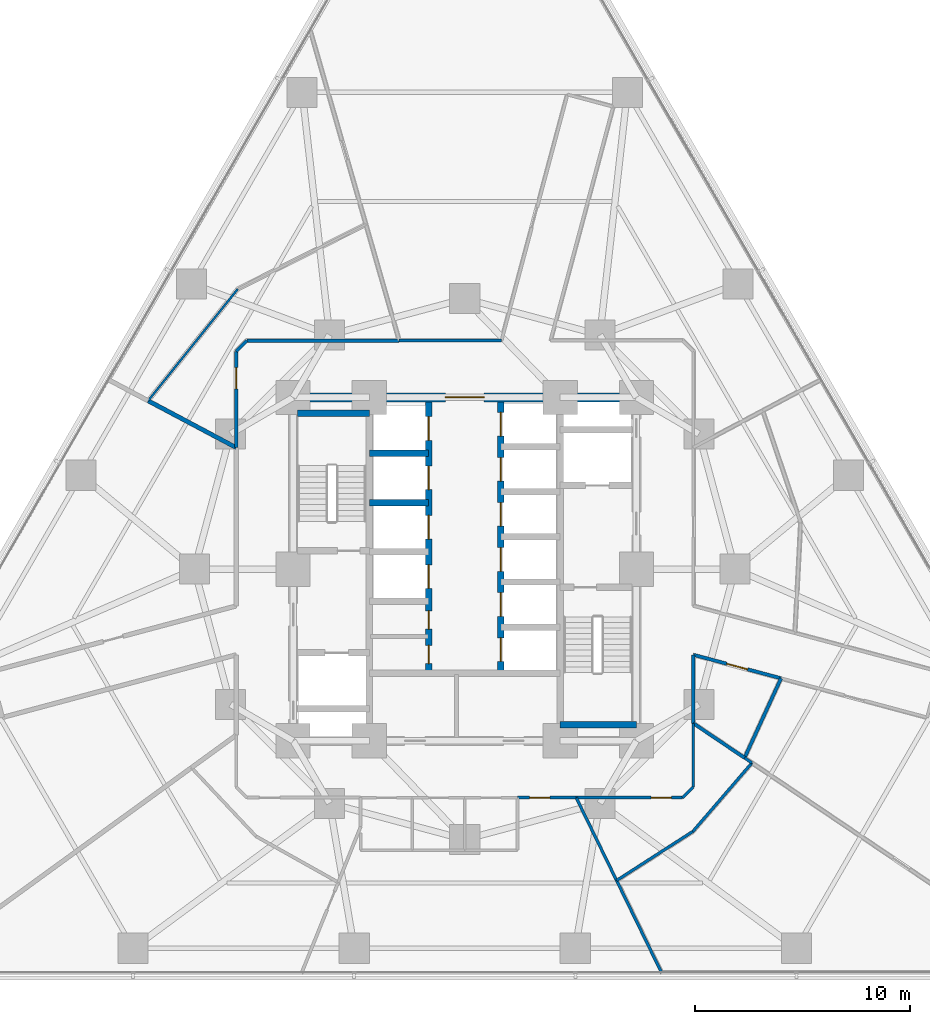
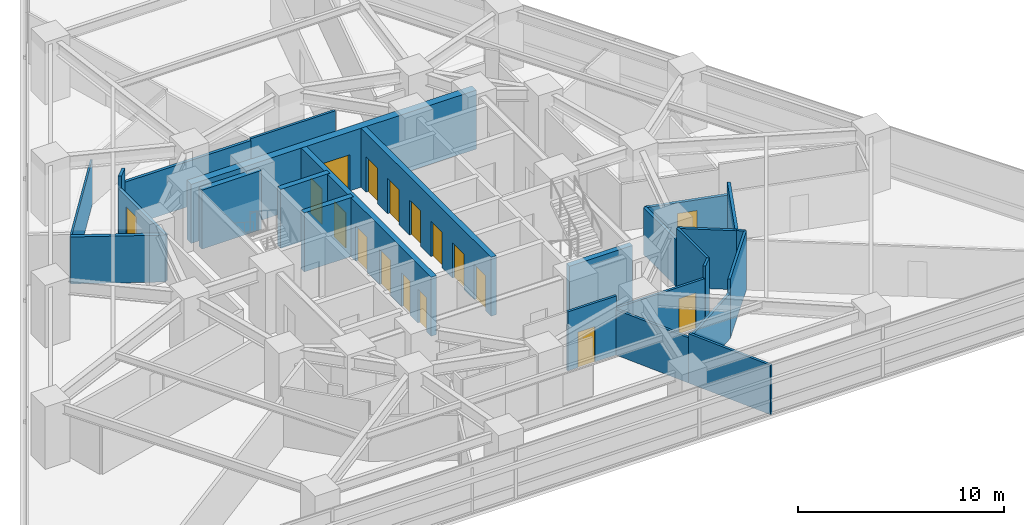
# One storey, part 9 of 16: 26 walls, 17 doors, 17 openings.
"""IFC4 building model written with IfcOpenShell, lengths in metres."""

from ifc_helpers import new_model, si_unit, direction, frame, frame_2d, origin, place, context, subcontext, project, spatial, rectangle, extrude, material, layer, layer_set, type_object, element, fill, save


model = new_model("IFC4")

# Units and contexts
model_context = context("Model", 3, precision=1e-05, world=origin(), true_north=direction((0.0, 1.0)))
body_context = subcontext(model_context, "Body", "Model", "MODEL_VIEW")
ifc_project = project(units=[si_unit("LENGTHUNIT", "METRE"), si_unit("AREAUNIT", "SQUARE_METRE"), si_unit("VOLUMEUNIT", "CUBIC_METRE"), si_unit("PLANEANGLEUNIT", "RADIAN"), si_unit("MASSUNIT", "GRAM", prefix="KILO")], contexts=[model_context])

# Site, building, storey
site_placement = place(None, origin())
site = spatial("IfcSite", under=ifc_project, at=site_placement, CompositionType="ELEMENT")
building_placement = place(site_placement, origin())
building = spatial("IfcBuilding", under=site, at=building_placement, Name="Terralouvre Media Tower", CompositionType="ELEMENT")
storey_placement = place(building_placement, frame((0.0, 0.0, 37.10009765625)))
storey = spatial("IfcBuildingStorey", under=building, at=storey_placement, Name="L08", CompositionType="ELEMENT", Elevation=37.10009765625)

# Walls
ifc_material_1 = material(Name="Concrete C50/60", Category="concrete")
ifc_layer_1 = layer(ifc_material_1, 0.300048828125, Name="Core Internal Shaft Wall CW-300")
ifc_layer_set_1 = layer_set([ifc_layer_1], Name="Concrete C50/60")
wall_type_1 = type_object("IfcWallType", Name="Core Internal Shaft Wall CW-300", PredefinedType="SHEAR", material=ifc_layer_set_1)
wall_1_placement = place(storey_placement, frame((-7.7900390625, 7.260009765625, 0.0), z_axis=(0.0, 0.0, 1.0), x_axis=(1.0, 0.0, 0.0)))
element("IfcWall", 1, at=wall_1_placement, inside=storey, type_object=wall_type_1, Name="L08 Core Shaft Wall ST1F", PredefinedType="SHEAR", context=body_context, shape_type="SweptSolid", body=[
    extrude(rectangle(XDim=3.340087890625, YDim=0.300048828125, at=frame_2d((1.669921875, 0.0))), origin(), (0.0, 0.0, 1.0), 3.5),
])
wall_2_placement = place(storey_placement, frame((4.449951171875, -7.260009765625, 0.0), z_axis=(0.0, 0.0, 1.0), x_axis=(1.0, 0.0, 0.0)))
element("IfcWall", 2, at=wall_2_placement, inside=storey, type_object=wall_type_1, Name="L08 Core Shaft Wall ST2F", PredefinedType="SHEAR", context=body_context, shape_type="SweptSolid", body=[
    extrude(rectangle(XDim=3.550048828125, YDim=0.300048828125, at=frame_2d((1.77490234375, 0.0))), origin(), (0.0, 0.0, 1.0), 3.5),
])

# Wall, openings, doors
wall_3_placement = place(storey_placement, frame((-1.679931640625, -4.85009765625, 0.0), z_axis=(0.0, 0.0, 1.0), x_axis=(0.0, 1.0, 0.0)))
wall_3 = element("IfcWall", 3, at=wall_3_placement, inside=storey, type_object=wall_type_1, Name="L08 Core Shaft Wall LBW", PredefinedType="SHEAR", context=body_context, shape_type="SweptSolid", body=[
    extrude(rectangle(XDim=12.64013671875, YDim=0.300048828125, at=frame_2d((6.320068359375, 0.0))), origin(), (0.0, 0.0, 1.0), 3.5),
])
opening_1_placement = place(wall_3_placement, frame((3.949951171875, 0.0, 0.0)))
opening_1 = element("IfcOpeningElement", 4, at=opening_1_placement, cuts=wall_3, Name="Opening LD-PL", PredefinedType="OPENING", context=body_context, shape_type="SweptSolid", body=[
    extrude(rectangle(XDim=1.10009765625, YDim=2.10009765625, at=frame_2d((0.550048828125, 1.050048828125))), frame((0.0, 0.159912109375, 0.0), z_axis=(0.0, -1.0, 0.0), x_axis=(1.0, 0.0, 0.0)), (0.0, 0.0, 1.0), 0.320068359375),
])
opening_2_placement = place(wall_3_placement, frame((6.25, 0.0, 0.0)))
opening_2 = element("IfcOpeningElement", 5, at=opening_2_placement, cuts=wall_3, Name="Opening LD-PL", PredefinedType="OPENING", context=body_context, shape_type="SweptSolid", body=[
    extrude(rectangle(XDim=1.10009765625, YDim=2.10009765625, at=frame_2d((0.550048828125, 1.050048828125))), frame((0.0, 0.159912109375, 0.0), z_axis=(0.0, -1.0, 0.0), x_axis=(1.0, 0.0, 0.0)), (0.0, 0.0, 1.0), 0.320068359375),
])
opening_3_placement = place(wall_3_placement, frame((8.550048828125, 0.0, 0.0)))
opening_3 = element("IfcOpeningElement", 6, at=opening_3_placement, cuts=wall_3, Name="Opening LD-PL", PredefinedType="OPENING", context=body_context, shape_type="SweptSolid", body=[
    extrude(rectangle(XDim=1.10009765625, YDim=2.10009765625, at=frame_2d((0.550048828125, 1.050048828125))), frame((0.0, 0.159912109375, 0.0), z_axis=(0.0, -1.0, 0.0), x_axis=(1.0, 0.0, 0.0)), (0.0, 0.0, 1.0), 0.320068359375),
])
opening_4_placement = place(wall_3_placement, frame((10.85009765625, 0.0, 0.0)))
opening_4 = element("IfcOpeningElement", 7, at=opening_4_placement, cuts=wall_3, Name="Opening LD-PL", PredefinedType="OPENING", context=body_context, shape_type="SweptSolid", body=[
    extrude(rectangle(XDim=1.10009765625, YDim=2.10009765625, at=frame_2d((0.550048828125, 1.050048828125))), frame((0.0, 0.159912109375, 0.0), z_axis=(0.0, -1.0, 0.0), x_axis=(1.0, 0.0, 0.0)), (0.0, 0.0, 1.0), 0.320068359375),
])
opening_5_placement = place(wall_3_placement, frame((0.449951171875, 0.0, 0.0)))
opening_5 = element("IfcOpeningElement", 8, at=opening_5_placement, cuts=wall_3, Name="Opening TD-R1", PredefinedType="OPENING", context=body_context, shape_type="SweptSolid", body=[
    extrude(rectangle(XDim=0.85009765625, YDim=2.02001953125, at=frame_2d((0.425048828125, 1.010009765625))), frame((0.0, 0.159912109375, 0.0), z_axis=(0.0, -1.0, 0.0), x_axis=(1.0, 0.0, 0.0)), (0.0, 0.0, 1.0), 0.320068359375),
])
opening_6_placement = place(wall_3_placement, frame((2.050048828125, 0.0, 0.0)))
opening_6 = element("IfcOpeningElement", 9, at=opening_6_placement, cuts=wall_3, Name="Opening TD-R1", PredefinedType="OPENING", context=body_context, shape_type="SweptSolid", body=[
    extrude(rectangle(XDim=0.85009765625, YDim=2.02001953125, at=frame_2d((0.425048828125, 1.010009765625))), frame((0.0, 0.159912109375, 0.0), z_axis=(0.0, -1.0, 0.0), x_axis=(1.0, 0.0, 0.0)), (0.0, 0.0, 1.0), 0.320068359375),
])
ifc_material_2 = material(Name="Stainless steel 316 handrail and balustrade", Category="steel")
door_type_1 = type_object("IfcDoorType", Name="Passenger Lift Sliding Landing Door LD-PL", OperationType="SLIDING_TO_LEFT", PredefinedType="DOOR", material=ifc_material_2)
door_1_placement = place(opening_1_placement, origin())
door_1 = element("IfcDoor", 10, at=door_1_placement, inside=storey, type_object=door_type_1, Name="L08 Low-Rise Lift PL-L1 Landing Door", OperationType="SLIDING_TO_LEFT", OverallHeight=2.10009765625, OverallWidth=1.10009765625, PredefinedType="DOOR", context=body_context, shape_type="SweptSolid", body=[
    extrude(rectangle(XDim=1.10009765625, YDim=2.10009765625, at=frame_2d((0.550048828125, 1.050048828125))), frame((0.0, 0.02490234375, 0.0), z_axis=(0.0, -1.0, 0.0), x_axis=(1.0, 0.0, 0.0)), (0.0, 0.0, 1.0), 0.050048828125),
])
fill(opening_1, door_1)
door_2_placement = place(opening_2_placement, origin())
door_2 = element("IfcDoor", 11, at=door_2_placement, inside=storey, type_object=door_type_1, Name="L08 Low-Rise Lift PL-L2 Landing Door", OperationType="SLIDING_TO_LEFT", OverallHeight=2.10009765625, OverallWidth=1.10009765625, PredefinedType="DOOR", context=body_context, shape_type="SweptSolid", body=[
    extrude(rectangle(XDim=1.10009765625, YDim=2.10009765625, at=frame_2d((0.550048828125, 1.050048828125))), frame((0.0, 0.02490234375, 0.0), z_axis=(0.0, -1.0, 0.0), x_axis=(1.0, 0.0, 0.0)), (0.0, 0.0, 1.0), 0.050048828125),
])
fill(opening_2, door_2)
door_3_placement = place(opening_3_placement, origin())
door_3 = element("IfcDoor", 12, at=door_3_placement, inside=storey, type_object=door_type_1, Name="L08 Low-Rise Lift PL-L3 Landing Door", OperationType="SLIDING_TO_LEFT", OverallHeight=2.10009765625, OverallWidth=1.10009765625, PredefinedType="DOOR", context=body_context, shape_type="SweptSolid", body=[
    extrude(rectangle(XDim=1.10009765625, YDim=2.10009765625, at=frame_2d((0.550048828125, 1.050048828125))), frame((0.0, 0.02490234375, 0.0), z_axis=(0.0, -1.0, 0.0), x_axis=(1.0, 0.0, 0.0)), (0.0, 0.0, 1.0), 0.050048828125),
])
fill(opening_3, door_3)
door_4_placement = place(opening_4_placement, origin())
door_4 = element("IfcDoor", 13, at=door_4_placement, inside=storey, type_object=door_type_1, Name="L08 Low-Rise Lift PL-L4 Landing Door", OperationType="SLIDING_TO_LEFT", OverallHeight=2.10009765625, OverallWidth=1.10009765625, PredefinedType="DOOR", context=body_context, shape_type="SweptSolid", body=[
    extrude(rectangle(XDim=1.10009765625, YDim=2.10009765625, at=frame_2d((0.550048828125, 1.050048828125))), frame((0.0, 0.02490234375, 0.0), z_axis=(0.0, -1.0, 0.0), x_axis=(1.0, 0.0, 0.0)), (0.0, 0.0, 1.0), 0.050048828125),
])
fill(opening_4, door_4)
ifc_material_3 = material(Name="Galvanised steel fire-resisting leaf", Category="steel")
door_type_2 = type_object("IfcDoorType", Name="Riser Inspection Access Trapdoor TD-R1", OperationType="NOTDEFINED", PredefinedType="TRAPDOOR", material=ifc_material_3)
door_5_placement = place(opening_5_placement, origin())
door_5 = element("IfcDoor", 14, at=door_5_placement, inside=storey, type_object=door_type_2, Name="L08 Core Cleaners Closet Door", OperationType="SINGLE_SWING_LEFT", OverallHeight=2.02001953125, OverallWidth=0.85009765625, PredefinedType="TRAPDOOR", context=body_context, shape_type="SweptSolid", body=[
    extrude(rectangle(XDim=0.85009765625, YDim=2.02001953125, at=frame_2d((0.425048828125, 1.010009765625))), frame((0.0, 0.02490234375, 0.0), z_axis=(0.0, -1.0, 0.0), x_axis=(1.0, 0.0, 0.0)), (0.0, 0.0, 1.0), 0.050048828125),
])
fill(opening_5, door_5)
door_6_placement = place(opening_6_placement, origin())
door_6 = element("IfcDoor", 15, at=door_6_placement, inside=storey, type_object=door_type_2, Name="L08 Core Metering Closet Door", OperationType="SINGLE_SWING_RIGHT", OverallHeight=2.02001953125, OverallWidth=0.85009765625, PredefinedType="TRAPDOOR", context=body_context, shape_type="SweptSolid", body=[
    extrude(rectangle(XDim=0.85009765625, YDim=2.02001953125, at=frame_2d((0.425048828125, 1.010009765625))), frame((0.0, 0.02490234375, 0.0), z_axis=(0.0, -1.0, 0.0), x_axis=(1.0, 0.0, 0.0)), (0.0, 0.0, 1.0), 0.050048828125),
])
fill(opening_6, door_6)

wall_4_placement = place(storey_placement, frame((1.679931640625, -4.85009765625, 0.0), z_axis=(0.0, 0.0, 1.0), x_axis=(0.0, 1.0, 0.0)))
wall_4 = element("IfcWall", 16, at=wall_4_placement, inside=storey, type_object=wall_type_1, Name="L08 Core Shaft Wall LBE", PredefinedType="SHEAR", context=body_context, shape_type="SweptSolid", body=[
    extrude(rectangle(XDim=12.64013671875, YDim=0.300048828125, at=frame_2d((6.320068359375, 0.0))), origin(), (0.0, 0.0, 1.0), 3.5),
])
opening_7_placement = place(wall_4_placement, frame((0.550048828125, 0.0, 0.0)))
opening_7 = element("IfcOpeningElement", 17, at=opening_7_placement, cuts=wall_4, Name="Opening LD-PL", PredefinedType="OPENING", context=body_context, shape_type="SweptSolid", body=[
    extrude(rectangle(XDim=1.10009765625, YDim=2.10009765625, at=frame_2d((0.550048828125, 1.050048828125))), frame((0.0, 0.159912109375, 0.0), z_axis=(0.0, -1.0, 0.0), x_axis=(1.0, 0.0, 0.0)), (0.0, 0.0, 1.0), 0.320068359375),
])
opening_8_placement = place(wall_4_placement, frame((2.64990234375, 0.0, 0.0)))
opening_8 = element("IfcOpeningElement", 18, at=opening_8_placement, cuts=wall_4, Name="Opening LD-PL", PredefinedType="OPENING", context=body_context, shape_type="SweptSolid", body=[
    extrude(rectangle(XDim=1.10009765625, YDim=2.10009765625, at=frame_2d((0.550048828125, 1.050048828125))), frame((0.0, 0.159912109375, 0.0), z_axis=(0.0, -1.0, 0.0), x_axis=(1.0, 0.0, 0.0)), (0.0, 0.0, 1.0), 0.320068359375),
])
opening_9_placement = place(wall_4_placement, frame((4.75, 0.0, 0.0)))
opening_9 = element("IfcOpeningElement", 19, at=opening_9_placement, cuts=wall_4, Name="Opening LD-PL", PredefinedType="OPENING", context=body_context, shape_type="SweptSolid", body=[
    extrude(rectangle(XDim=1.10009765625, YDim=2.10009765625, at=frame_2d((0.550048828125, 1.050048828125))), frame((0.0, 0.159912109375, 0.0), z_axis=(0.0, -1.0, 0.0), x_axis=(1.0, 0.0, 0.0)), (0.0, 0.0, 1.0), 0.320068359375),
])
opening_10_placement = place(wall_4_placement, frame((6.85009765625, 0.0, 0.0)))
opening_10 = element("IfcOpeningElement", 20, at=opening_10_placement, cuts=wall_4, Name="Opening LD-PL", PredefinedType="OPENING", context=body_context, shape_type="SweptSolid", body=[
    extrude(rectangle(XDim=1.10009765625, YDim=2.10009765625, at=frame_2d((0.550048828125, 1.050048828125))), frame((0.0, 0.159912109375, 0.0), z_axis=(0.0, -1.0, 0.0), x_axis=(1.0, 0.0, 0.0)), (0.0, 0.0, 1.0), 0.320068359375),
])
opening_11_placement = place(wall_4_placement, frame((8.949951171875, 0.0, 0.0)))
opening_11 = element("IfcOpeningElement", 21, at=opening_11_placement, cuts=wall_4, Name="Opening LD-PL", PredefinedType="OPENING", context=body_context, shape_type="SweptSolid", body=[
    extrude(rectangle(XDim=1.10009765625, YDim=2.10009765625, at=frame_2d((0.550048828125, 1.050048828125))), frame((0.0, 0.159912109375, 0.0), z_axis=(0.0, -1.0, 0.0), x_axis=(1.0, 0.0, 0.0)), (0.0, 0.0, 1.0), 0.320068359375),
])
opening_12_placement = place(wall_4_placement, frame((11.050048828125, 0.0, 0.0)))
opening_12 = element("IfcOpeningElement", 22, at=opening_12_placement, cuts=wall_4, Name="Opening LD-PL", PredefinedType="OPENING", context=body_context, shape_type="SweptSolid", body=[
    extrude(rectangle(XDim=1.10009765625, YDim=2.10009765625, at=frame_2d((0.550048828125, 1.050048828125))), frame((0.0, 0.159912109375, 0.0), z_axis=(0.0, -1.0, 0.0), x_axis=(1.0, 0.0, 0.0)), (0.0, 0.0, 1.0), 0.320068359375),
])
door_7_placement = place(opening_7_placement, origin())
door_7 = element("IfcDoor", 23, at=door_7_placement, inside=storey, type_object=door_type_1, Name="L08 High-Rise Lift PL-H1 Landing Door", OperationType="SLIDING_TO_LEFT", OverallHeight=2.10009765625, OverallWidth=1.10009765625, PredefinedType="DOOR", context=body_context, shape_type="SweptSolid", body=[
    extrude(rectangle(XDim=1.10009765625, YDim=2.10009765625, at=frame_2d((0.550048828125, 1.050048828125))), frame((0.0, 0.02490234375, 0.0), z_axis=(0.0, -1.0, 0.0), x_axis=(1.0, 0.0, 0.0)), (0.0, 0.0, 1.0), 0.050048828125),
])
fill(opening_7, door_7)
door_8_placement = place(opening_8_placement, origin())
door_8 = element("IfcDoor", 24, at=door_8_placement, inside=storey, type_object=door_type_1, Name="L08 High-Rise Lift PL-H2 Landing Door", OperationType="SLIDING_TO_LEFT", OverallHeight=2.10009765625, OverallWidth=1.10009765625, PredefinedType="DOOR", context=body_context, shape_type="SweptSolid", body=[
    extrude(rectangle(XDim=1.10009765625, YDim=2.10009765625, at=frame_2d((0.550048828125, 1.050048828125))), frame((0.0, 0.02490234375, 0.0), z_axis=(0.0, -1.0, 0.0), x_axis=(1.0, 0.0, 0.0)), (0.0, 0.0, 1.0), 0.050048828125),
])
fill(opening_8, door_8)
door_9_placement = place(opening_9_placement, origin())
door_9 = element("IfcDoor", 25, at=door_9_placement, inside=storey, type_object=door_type_1, Name="L08 High-Rise Lift PL-H3 Landing Door", OperationType="SLIDING_TO_LEFT", OverallHeight=2.10009765625, OverallWidth=1.10009765625, PredefinedType="DOOR", context=body_context, shape_type="SweptSolid", body=[
    extrude(rectangle(XDim=1.10009765625, YDim=2.10009765625, at=frame_2d((0.550048828125, 1.050048828125))), frame((0.0, 0.02490234375, 0.0), z_axis=(0.0, -1.0, 0.0), x_axis=(1.0, 0.0, 0.0)), (0.0, 0.0, 1.0), 0.050048828125),
])
fill(opening_9, door_9)
door_10_placement = place(opening_10_placement, origin())
door_10 = element("IfcDoor", 26, at=door_10_placement, inside=storey, type_object=door_type_1, Name="L08 Mid-Rise Lift PL-M1 Landing Door", OperationType="SLIDING_TO_LEFT", OverallHeight=2.10009765625, OverallWidth=1.10009765625, PredefinedType="DOOR", context=body_context, shape_type="SweptSolid", body=[
    extrude(rectangle(XDim=1.10009765625, YDim=2.10009765625, at=frame_2d((0.550048828125, 1.050048828125))), frame((0.0, 0.02490234375, 0.0), z_axis=(0.0, -1.0, 0.0), x_axis=(1.0, 0.0, 0.0)), (0.0, 0.0, 1.0), 0.050048828125),
])
fill(opening_10, door_10)
door_11_placement = place(opening_11_placement, origin())
door_11 = element("IfcDoor", 27, at=door_11_placement, inside=storey, type_object=door_type_1, Name="L08 Mid-Rise Lift PL-M2 Landing Door", OperationType="SLIDING_TO_LEFT", OverallHeight=2.10009765625, OverallWidth=1.10009765625, PredefinedType="DOOR", context=body_context, shape_type="SweptSolid", body=[
    extrude(rectangle(XDim=1.10009765625, YDim=2.10009765625, at=frame_2d((0.550048828125, 1.050048828125))), frame((0.0, 0.02490234375, 0.0), z_axis=(0.0, -1.0, 0.0), x_axis=(1.0, 0.0, 0.0)), (0.0, 0.0, 1.0), 0.050048828125),
])
fill(opening_11, door_11)
door_12_placement = place(opening_12_placement, origin())
door_12 = element("IfcDoor", 28, at=door_12_placement, inside=storey, type_object=door_type_1, Name="L08 Mid-Rise Lift PL-M3 Landing Door", OperationType="SLIDING_TO_LEFT", OverallHeight=2.10009765625, OverallWidth=1.10009765625, PredefinedType="DOOR", context=body_context, shape_type="SweptSolid", body=[
    extrude(rectangle(XDim=1.10009765625, YDim=2.10009765625, at=frame_2d((0.550048828125, 1.050048828125))), frame((0.0, 0.02490234375, 0.0), z_axis=(0.0, -1.0, 0.0), x_axis=(1.0, 0.0, 0.0)), (0.0, 0.0, 1.0), 0.050048828125),
])
fill(opening_12, door_12)

# Walls
for number, where, z_axis, x_axis, name in (
    (29, (-4.449951171875, 3.10009765625, 0.0), (0.0, 0.0, 1.0), (1.0, 0.0, 0.0), "L08 Core Shaft Wall PLLD2"),
    (30, (-4.449951171875, 5.39990234375, 0.0), (0.0, 0.0, 1.0), (1.0, 0.0, 0.0), "L08 Core Shaft Wall PLLD3"),
):
    element("IfcWall", number, at=place(storey_placement, frame(where, z_axis=z_axis, x_axis=x_axis)), inside=storey, type_object=wall_type_1, Name=name, PredefinedType="SHEAR", context=body_context, shape_type="SweptSolid", body=[
        extrude(rectangle(XDim=2.77001953125, YDim=0.300048828125, at=frame_2d((1.385009765625, 0.0))), origin(), (0.0, 0.0, 1.0), 3.5),
    ])

# Wall, opening, door
ifc_material_4 = material(Name="Concrete C60/75", Category="concrete")
ifc_layer_2 = layer(ifc_material_4, 0.419921875, Name="Core Reinforced Concrete Shear Wall CW-420")
ifc_layer_set_2 = layer_set([ifc_layer_2], Name="Concrete C60/75")
wall_type_2 = type_object("IfcWallType", Name="Core Reinforced Concrete Shear Wall CW-420", PredefinedType="SHEAR", material=ifc_layer_set_2)
wall_5_placement = place(storey_placement, frame((-8.0, 8.0, 0.0), z_axis=(0.0, 0.0, 1.0), x_axis=(1.0, 0.0, 0.0)))
wall_5 = element("IfcWall", 31, at=wall_5_placement, inside=storey, type_object=wall_type_2, Name="L08 N Core Shear Wall", PredefinedType="SHEAR", context=body_context, shape_type="SweptSolid", body=[
    extrude(rectangle(XDim=16.0, YDim=0.419921875, at=frame_2d((8.0, 0.0))), origin(), (0.0, 0.0, 1.0), 3.5),
])
opening_13_placement = place(wall_5_placement, frame((7.10009765625, 0.0, 0.0)))
opening_13 = element("IfcOpeningElement", 32, at=opening_13_placement, cuts=wall_5, Name="Opening FD-03", PredefinedType="OPENING", context=body_context, shape_type="SweptSolid", body=[
    extrude(rectangle(XDim=1.800048828125, YDim=2.14990234375, at=frame_2d((0.89990234375, 1.074951171875))), frame((0.0, 0.219970703125, 0.0), z_axis=(0.0, -1.0, 0.0), x_axis=(1.0, 0.0, 0.0)), (0.0, 0.0, 1.0), 0.43994140625),
])
ifc_material_5 = material(Name="Galvanised steel fire-resisting leaf", Category="steel")
door_type_3 = type_object("IfcDoorType", Name="Corridor Smoke-Control Double Door FD-03", OperationType="DOUBLE_DOOR_SINGLE_SWING", PredefinedType="DOOR", material=ifc_material_5)
door_13_placement = place(opening_13_placement, origin())
door_13 = element("IfcDoor", 33, at=door_13_placement, inside=storey, type_object=door_type_3, Name="L08 Central Lift Lobby Portal Door", OperationType="DOUBLE_DOOR_SINGLE_SWING", OverallHeight=2.14990234375, OverallWidth=1.800048828125, PredefinedType="DOOR", context=body_context, shape_type="SweptSolid", body=[
    extrude(rectangle(XDim=1.800048828125, YDim=2.14990234375, at=frame_2d((0.89990234375, 1.074951171875))), frame((0.0, 0.02490234375, 0.0), z_axis=(0.0, -1.0, 0.0), x_axis=(1.0, 0.0, 0.0)), (0.0, 0.0, 1.0), 0.050048828125),
])
fill(opening_13, door_13)

# Walls
ifc_material_6 = material(Name="Low-iron laminated double glazing with solar-control coating", Category="glass")
ifc_layer_3 = layer(ifc_material_6, 0.10009765625, Name="Demountable Glazed Office Partition PT-GL100")
ifc_layer_set_3 = layer_set([ifc_layer_3], Name="Low-iron laminated double glazing with solar-control coating")
wall_type_3 = type_object("IfcWallType", Name="Demountable Glazed Office Partition PT-GL100", PredefinedType="MOVABLE", material=ifc_layer_set_3)
wall_6_placement = place(storey_placement, frame((-14.7548828125, 7.844970703125, 0.0), z_axis=(0.0, 0.0, 1.0), x_axis=(0.625893000506, 0.779908938222, 0.0)))
element("IfcWall", 34, at=wall_6_placement, inside=storey, type_object=wall_type_3, Name="L08 Interior Partition 063", PredefinedType="MOVABLE", context=body_context, shape_type="SweptSolid", body=[
    extrude(rectangle(XDim=6.681396484375, YDim=0.10009765625, at=frame_2d((3.3408203125, 0.0))), origin(), (0.0, 0.0, 1.0), 2.684814453125),
])
ifc_material_7 = material(Name="Fire-rated gypsum board drywall partition")
ifc_layer_4 = layer(ifc_material_7, 0.199951171875, Name="Fire-Rated Shaft and Lobby Partition FW-200")
ifc_layer_set_4 = layer_set([ifc_layer_4], Name="Fire-rated gypsum board drywall partition")
wall_type_4 = type_object("IfcWallType", Name="Fire-Rated Shaft and Lobby Partition FW-200", PredefinedType="SOLIDWALL", material=ifc_layer_set_4)
wall_7_placement = place(storey_placement, frame((-10.64990234375, 5.6630859375, 0.0), z_axis=(0.0, 0.0, 1.0), x_axis=(-0.883016425854, 0.46934208385, 0.0)))
element("IfcWall", 35, at=wall_7_placement, inside=storey, type_object=wall_type_4, Name="L08 Interior Partition 040", PredefinedType="SOLIDWALL", context=body_context, shape_type="SweptSolid", body=[
    extrude(rectangle(XDim=4.64892578125, YDim=0.199951171875, at=frame_2d((2.324462890625, 0.0))), origin(), (0.0, 0.0, 1.0), 2.784912109375),
])
ifc_material_8 = material(Name="Fire-rated gypsum board drywall partition")
ifc_layer_5 = layer(ifc_material_8, 0.135009765625, Name="Newsroom Acoustic Partition PT-135")
ifc_layer_set_5 = layer_set([ifc_layer_5], Name="Fire-rated gypsum board drywall partition")
wall_type_5 = type_object("IfcWallType", Name="Newsroom Acoustic Partition PT-135", PredefinedType="PARTITIONING", material=ifc_layer_set_5)
wall_8_placement = place(storey_placement, frame((1.715087890625, 10.64990234375, 0.0), z_axis=(0.0, 0.0, 1.0), x_axis=(-1.0, 0.0, 0.0)))
element("IfcWall", 36, at=wall_8_placement, inside=storey, type_object=wall_type_5, Name="L08 Interior Partition 007", PredefinedType="PARTITIONING", context=body_context, shape_type="SweptSolid", body=[
    extrude(rectangle(XDim=4.76904296875, YDim=0.135009765625, at=frame_2d((2.384521484375, 0.0))), origin(), (0.0, 0.0, 1.0), 2.784912109375),
])

# Wall, opening, door
wall_9_placement = place(storey_placement, frame((2.449951171875, -10.64990234375, 0.0), z_axis=(0.0, 0.0, 1.0), x_axis=(1.0, 0.0, 0.0)))
wall_9 = element("IfcWall", 37, at=wall_9_placement, inside=storey, type_object=wall_type_5, Name="L08 Interior Partition 025", PredefinedType="PARTITIONING", context=body_context, shape_type="SweptSolid", body=[
    extrude(rectangle(XDim=2.744140625, YDim=0.135009765625, at=frame_2d((1.3720703125, 0.0))), origin(), (0.0, 0.0, 1.0), 3.5),
])
opening_14_placement = place(wall_9_placement, frame((0.567626953125, 0.0, 0.0)))
opening_14 = element("IfcOpeningElement", 38, at=opening_14_placement, cuts=wall_9, Name="Opening ID-02-95X210", PredefinedType="OPENING", context=body_context, shape_type="SweptSolid", body=[
    extrude(rectangle(XDim=0.949951171875, YDim=2.10009765625, at=frame_2d((0.47509765625, 1.050048828125))), frame((0.0, 0.077392578125, 0.0), z_axis=(0.0, -1.0, 0.0), x_axis=(1.0, 0.0, 0.0)), (0.0, 0.0, 1.0), 0.155029296875),
])
ifc_material_9 = material(Name="Engineered hardwood acoustic timber leaf", Category="wood")
door_type_4 = type_object("IfcDoorType", Name="Office and Meeting Room Door ID-02 (950x2100)", OperationType="NOTDEFINED", PredefinedType="DOOR", material=ifc_material_9)
door_14_placement = place(opening_14_placement, origin())
door_14 = element("IfcDoor", 39, at=door_14_placement, inside=storey, type_object=door_type_4, Name="L08 Stage Prop Archive Storage 8 Door", OperationType="SINGLE_SWING_RIGHT", OverallHeight=2.10009765625, OverallWidth=0.949951171875, PredefinedType="DOOR", context=body_context, shape_type="SweptSolid", body=[
    extrude(rectangle(XDim=0.949951171875, YDim=2.10009765625, at=frame_2d((0.47509765625, 1.050048828125))), frame((0.0, 0.02490234375, 0.0), z_axis=(0.0, -1.0, 0.0), x_axis=(1.0, 0.0, 0.0)), (0.0, 0.0, 1.0), 0.050048828125),
])
fill(opening_14, door_14)

wall_10_placement = place(storey_placement, frame((5.194091796875, -10.64990234375, 0.0), z_axis=(0.0, 0.0, 1.0), x_axis=(1.0, 0.0, 0.0)))
wall_10 = element("IfcWall", 40, at=wall_10_placement, inside=storey, type_object=wall_type_5, Name="L08 Interior Partition 027", PredefinedType="PARTITIONING", context=body_context, shape_type="SweptSolid", body=[
    extrude(rectangle(XDim=4.955810546875, YDim=0.135009765625, at=frame_2d((2.47802734375, 0.0))), origin(), (0.0, 0.0, 1.0), 2.784912109375),
])
opening_15_placement = place(wall_10_placement, frame((3.48974609375, 0.0, 0.0)))
opening_15 = element("IfcOpeningElement", 41, at=opening_15_placement, cuts=wall_10, Name="Opening ID-02-95X210", PredefinedType="OPENING", context=body_context, shape_type="SweptSolid", body=[
    extrude(rectangle(XDim=0.949951171875, YDim=2.10009765625, at=frame_2d((0.47509765625, 1.050048828125))), frame((0.0, 0.077392578125, 0.0), z_axis=(0.0, -1.0, 0.0), x_axis=(1.0, 0.0, 0.0)), (0.0, 0.0, 1.0), 0.155029296875),
])
door_15_placement = place(opening_15_placement, origin())
door_15 = element("IfcDoor", 42, at=door_15_placement, inside=storey, type_object=door_type_4, Name="L08 Presenter Hospitality Lounge 9 Door", OperationType="SINGLE_SWING_RIGHT", OverallHeight=2.10009765625, OverallWidth=0.949951171875, PredefinedType="DOOR", context=body_context, shape_type="SweptSolid", body=[
    extrude(rectangle(XDim=0.949951171875, YDim=2.10009765625, at=frame_2d((0.47509765625, 1.050048828125))), frame((0.0, 0.02490234375, 0.0), z_axis=(0.0, -1.0, 0.0), x_axis=(1.0, 0.0, 0.0)), (0.0, 0.0, 1.0), 0.050048828125),
])
fill(opening_15, door_15)

# Walls
wall_11_placement = place(storey_placement, frame((10.14990234375, -10.64990234375, 0.0), z_axis=(0.0, 0.0, 1.0), x_axis=(0.707106781187, 0.707106781187, 0.0)))
element("IfcWall", 43, at=wall_11_placement, inside=storey, type_object=wall_type_5, Name="L08 Interior Partition 028", PredefinedType="PARTITIONING", context=body_context, shape_type="SweptSolid", body=[
    extrude(rectangle(XDim=0.70703125, YDim=0.135009765625, at=frame_2d((0.353515625, 0.0))), origin(), (0.0, 0.0, 1.0), 3.5),
])
wall_12_placement = place(storey_placement, frame((10.64990234375, -10.14990234375, 0.0), z_axis=(0.0, 0.0, 1.0), x_axis=(0.0, 1.0, 0.0)))
element("IfcWall", 44, at=wall_12_placement, inside=storey, type_object=wall_type_5, Name="L08 Interior Partition 029", PredefinedType="PARTITIONING", context=body_context, shape_type="SweptSolid", body=[
    extrude(rectangle(XDim=2.9658203125, YDim=0.135009765625, at=frame_2d((1.48291015625, 0.0))), origin(), (0.0, 0.0, 1.0), 3.5),
])
wall_13_placement = place(storey_placement, frame((13.0380859375, -8.7939453125, 0.0), z_axis=(0.0, 0.0, 1.0), x_axis=(0.828163729679, -0.560486250361, 0.0)))
element("IfcWall", 45, at=wall_13_placement, inside=storey, type_object=wall_type_5, Name="L08 Interior Partition 045", PredefinedType="PARTITIONING", context=body_context, shape_type="SweptSolid", body=[
    extrude(rectangle(XDim=0.417724609375, YDim=0.135009765625, at=frame_2d((0.208984375, 0.0))), origin(), (0.0, 0.0, 1.0), 3.5),
])
wall_14_placement = place(storey_placement, frame((7.076904296875, -14.510009765625, 0.0), z_axis=(0.0, 0.0, 1.0), x_axis=(-0.438392272504, 0.898783742292, 0.0)))
element("IfcWall", 46, at=wall_14_placement, inside=storey, type_object=wall_type_5, Name="L08 Interior Partition 059", PredefinedType="PARTITIONING", context=body_context, shape_type="SweptSolid", body=[
    extrude(rectangle(XDim=4.294921875, YDim=0.135009765625, at=frame_2d((2.1474609375, 0.0))), origin(), (0.0, 0.0, 1.0), 2.684814453125),
])
wall_15_placement = place(storey_placement, frame((9.1875, -18.8369140625, 0.0), z_axis=(0.0, 0.0, 1.0), x_axis=(-0.438408644876, 0.898775756292, 0.0)))
element("IfcWall", 47, at=wall_15_placement, inside=storey, type_object=wall_type_5, Name="L08 Interior Partition 060", PredefinedType="PARTITIONING", context=body_context, shape_type="SweptSolid", body=[
    extrude(rectangle(XDim=4.814208984375, YDim=0.135009765625, at=frame_2d((2.4072265625, 0.0))), origin(), (0.0, 0.0, 1.0), 2.934814453125),
])
wall_16_placement = place(storey_placement, frame((7.076904296875, -14.510009765625, 0.0), z_axis=(0.0, 0.0, 1.0), x_axis=(0.841056333741, 0.540947542258, 0.0)))
element("IfcWall", 48, at=wall_16_placement, inside=storey, type_object=wall_type_5, Name="L08 Interior Partition 061", PredefinedType="PARTITIONING", context=body_context, shape_type="SweptSolid", body=[
    extrude(rectangle(XDim=4.22216796875, YDim=0.135009765625, at=frame_2d((2.111083984375, 0.0))), origin(), (0.0, 0.0, 1.0), 2.684814453125),
])
wall_17_placement = place(storey_placement, frame((10.6279296875, -12.22607421875, 0.0), z_axis=(0.0, 0.0, 1.0), x_axis=(0.652832083446, 0.757502654004, 0.0)))
element("IfcWall", 49, at=wall_17_placement, inside=storey, type_object=wall_type_5, Name="L08 Interior Partition 062", PredefinedType="PARTITIONING", context=body_context, shape_type="SweptSolid", body=[
    extrude(rectangle(XDim=4.2216796875, YDim=0.135009765625, at=frame_2d((2.11083984375, 0.0))), origin(), (0.0, 0.0, 1.0), 3.5),
])
ifc_material_10 = material(Name="Fire-rated gypsum board drywall partition")
ifc_layer_6 = layer(ifc_material_10, 0.159912109375, Name="Studio Acoustic Rated Partition PT-160")
ifc_layer_set_6 = layer_set([ifc_layer_6], Name="Fire-rated gypsum board drywall partition")
wall_type_6 = type_object("IfcWallType", Name="Studio Acoustic Rated Partition PT-160", PredefinedType="PARTITIONING", material=ifc_layer_set_6)
wall_18_placement = place(storey_placement, frame((10.64990234375, -7.18408203125, 0.0), z_axis=(0.0, 0.0, 1.0), x_axis=(0.0, 1.0, 0.0)))
element("IfcWall", 50, at=wall_18_placement, inside=storey, type_object=wall_type_6, Name="L08 Interior Partition 013", PredefinedType="PARTITIONING", context=body_context, shape_type="SweptSolid", body=[
    extrude(rectangle(XDim=3.192138671875, YDim=0.159912109375, at=frame_2d((1.59619140625, 0.0))), origin(), (0.0, 0.0, 1.0), 2.784912109375),
])

# Wall, opening, door
wall_19_placement = place(storey_placement, frame((10.64990234375, -3.991943359375, 0.0), z_axis=(0.0, 0.0, 1.0), x_axis=(0.965925146235, -0.258821583086, 0.0)))
wall_19 = element("IfcWall", 51, at=wall_19_placement, inside=storey, type_object=wall_type_6, Name="L08 Interior Partition 014", PredefinedType="PARTITIONING", context=body_context, shape_type="SweptSolid", body=[
    extrude(rectangle(XDim=4.234375, YDim=0.159912109375, at=frame_2d((2.1171875, 0.0))), origin(), (0.0, 0.0, 1.0), 2.784912109375),
])
opening_16_placement = place(wall_19_placement, frame((1.6171875, 0.0, 0.0)))
opening_16 = element("IfcOpeningElement", 52, at=opening_16_placement, cuts=wall_19, Name="Opening ID-01-100X215", PredefinedType="OPENING", context=body_context, shape_type="SweptSolid", body=[
    extrude(rectangle(XDim=1.0, YDim=2.14990234375, at=frame_2d((0.5, 1.074951171875))), frame((0.0, 0.08984375, 0.0), z_axis=(0.0, -1.0, 0.0), x_axis=(1.0, 0.0, 0.0)), (0.0, 0.0, 1.0), 0.179931640625),
])
ifc_material_11 = material(Name="Engineered hardwood acoustic timber leaf", Category="wood")
door_type_5 = type_object("IfcDoorType", Name="Broadcast Studio Acoustic Single Door ID-01 (1000x2150)", OperationType="NOTDEFINED", PredefinedType="DOOR", material=ifc_material_11)
door_16_placement = place(opening_16_placement, origin())
door_16 = element("IfcDoor", 53, at=door_16_placement, inside=storey, type_object=door_type_5, Name="L08 Preview Screening Cinema 3 Door", OperationType="SINGLE_SWING_RIGHT", OverallHeight=2.14990234375, OverallWidth=1.0, PredefinedType="DOOR", context=body_context, shape_type="SweptSolid", body=[
    extrude(rectangle(XDim=1.0, YDim=2.14990234375, at=frame_2d((0.5, 1.074951171875))), frame((0.0, 0.02490234375, 0.0), z_axis=(0.0, -1.0, 0.0), x_axis=(1.0, 0.0, 0.0)), (0.0, 0.0, 1.0), 0.050048828125),
])
fill(opening_16, door_16)

# Walls
wall_20_placement = place(storey_placement, frame((-3.053955078125, 10.64990234375, 0.0), z_axis=(0.0, 0.0, 1.0), x_axis=(-1.0, 0.0, 0.0)))
element("IfcWall", 54, at=wall_20_placement, inside=storey, type_object=wall_type_6, Name="L08 Interior Partition 030", PredefinedType="PARTITIONING", context=body_context, shape_type="SweptSolid", body=[
    extrude(rectangle(XDim=7.095947265625, YDim=0.159912109375, at=frame_2d((3.5478515625, 0.0))), origin(), (0.0, 0.0, 1.0), 2.684814453125),
])
wall_21_placement = place(storey_placement, frame((-10.14990234375, 10.64990234375, 0.0), z_axis=(0.0, 0.0, 1.0), x_axis=(-0.707106781187, -0.707106781187, 0.0)))
element("IfcWall", 55, at=wall_21_placement, inside=storey, type_object=wall_type_6, Name="L08 Interior Partition 031", PredefinedType="PARTITIONING", context=body_context, shape_type="SweptSolid", body=[
    extrude(rectangle(XDim=0.70703125, YDim=0.159912109375, at=frame_2d((0.353515625, 0.0))), origin(), (0.0, 0.0, 1.0), 3.5),
])

# Wall, opening, door
wall_22_placement = place(storey_placement, frame((-10.64990234375, 10.14990234375, 0.0), z_axis=(0.0, 0.0, 1.0), x_axis=(0.0, -1.0, 0.0)))
wall_22 = element("IfcWall", 56, at=wall_22_placement, inside=storey, type_object=wall_type_6, Name="L08 Interior Partition 032", PredefinedType="PARTITIONING", context=body_context, shape_type="SweptSolid", body=[
    extrude(rectangle(XDim=4.48681640625, YDim=0.159912109375, at=frame_2d((2.243408203125, 0.0))), origin(), (0.0, 0.0, 1.0), 2.784912109375),
])
opening_17_placement = place(wall_22_placement, frame((0.75634765625, 0.0, 0.0)))
opening_17 = element("IfcOpeningElement", 57, at=opening_17_placement, cuts=wall_22, Name="Opening ID-01-100X215", PredefinedType="OPENING", context=body_context, shape_type="SweptSolid", body=[
    extrude(rectangle(XDim=1.0, YDim=2.14990234375, at=frame_2d((0.5, 1.074951171875))), frame((0.0, 0.08984375, 0.0), z_axis=(0.0, -1.0, 0.0), x_axis=(1.0, 0.0, 0.0)), (0.0, 0.0, 1.0), 0.179931640625),
])
door_17_placement = place(opening_17_placement, origin())
door_17 = element("IfcDoor", 58, at=door_17_placement, inside=storey, type_object=door_type_5, Name="L08 Technical Operations Control Room 12 Door", OperationType="SINGLE_SWING_LEFT", OverallHeight=2.14990234375, OverallWidth=1.0, PredefinedType="DOOR", context=body_context, shape_type="SweptSolid", body=[
    extrude(rectangle(XDim=1.0, YDim=2.14990234375, at=frame_2d((0.5, 1.074951171875))), frame((0.0, 0.02490234375, 0.0), z_axis=(0.0, -1.0, 0.0), x_axis=(1.0, 0.0, 0.0)), (0.0, 0.0, 1.0), 0.050048828125),
])
fill(opening_17, door_17)

# Walls
wall_23_placement = place(storey_placement, frame((13.0380859375, -8.7939453125, 0.0), z_axis=(0.0, 0.0, 1.0), x_axis=(0.417322480709, 0.908758464662, 0.0)))
element("IfcWall", 59, at=wall_23_placement, inside=storey, type_object=wall_type_6, Name="L08 Interior Partition 041", PredefinedType="PARTITIONING", context=body_context, shape_type="SweptSolid", body=[
    extrude(rectangle(XDim=4.078125, YDim=0.159912109375, at=frame_2d((2.0390625, 0.0))), origin(), (0.0, 0.0, 1.0), 3.5),
])
wall_24_placement = place(storey_placement, frame((10.64990234375, -7.18408203125, 0.0), z_axis=(0.0, 0.0, 1.0), x_axis=(0.829196392101, -0.558957371654, 0.0)))
element("IfcWall", 60, at=wall_24_placement, inside=storey, type_object=wall_type_6, Name="L08 Interior Partition 042", PredefinedType="PARTITIONING", context=body_context, shape_type="SweptSolid", body=[
    extrude(rectangle(XDim=2.880126953125, YDim=0.159912109375, at=frame_2d((1.43994140625, 0.0))), origin(), (0.0, 0.0, 1.0), 3.5),
])

save(model, "model.ifc")
